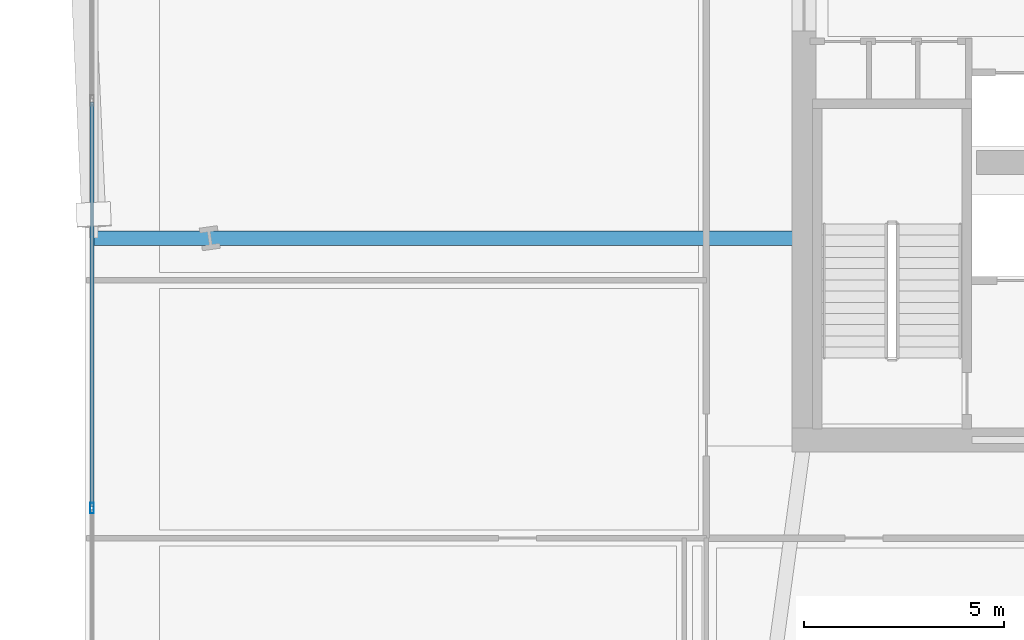
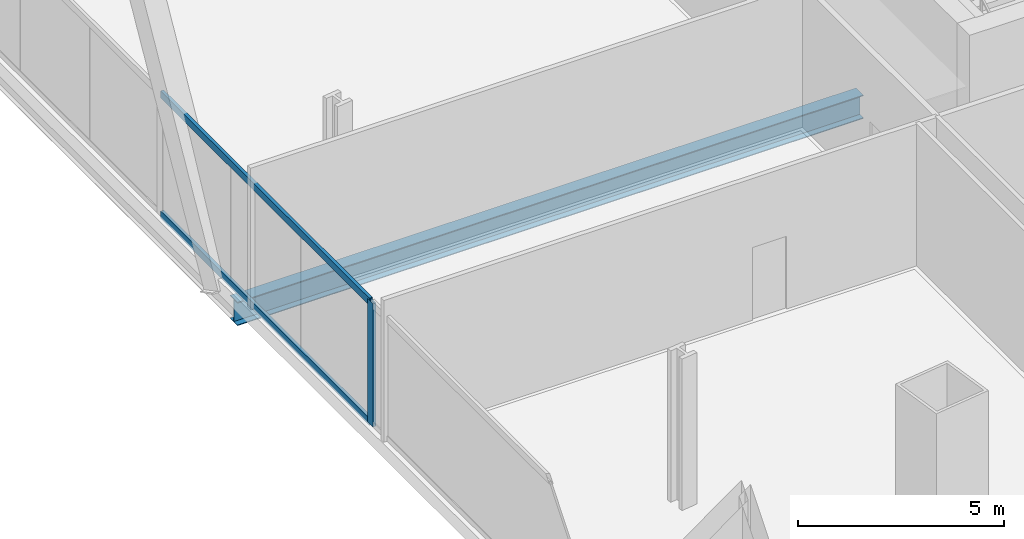
# One storey, part 5 of 29: 3 members, 1 beam, 1 element without a shape of its own.
"""IFC4 building model written with IfcOpenShell, lengths in metres."""

from ifc_helpers import new_model, si_unit, direction, frame, origin, origin_2d, place, context, subcontext, project, spatial, hollow_rectangle, i_section, extrude, material, material_profile, profile_set, type_object, element, aggregate, save


model = new_model("IFC4")

# Units and contexts
model_context = context("Model", 3, precision=1e-05, world=origin(), true_north=direction((0.0, 1.0)))
body_context = subcontext(model_context, "Body", "Model", "MODEL_VIEW")
ifc_project = project(units=[si_unit("LENGTHUNIT", "METRE"), si_unit("AREAUNIT", "SQUARE_METRE"), si_unit("VOLUMEUNIT", "CUBIC_METRE"), si_unit("PLANEANGLEUNIT", "RADIAN"), si_unit("MASSUNIT", "GRAM", prefix="KILO")], contexts=[model_context])

# Site, building, storey
site_placement = place(None, origin())
site = spatial("IfcSite", under=ifc_project, at=site_placement, CompositionType="ELEMENT")
building_placement = place(site_placement, origin())
building = spatial("IfcBuilding", under=site, at=building_placement, Name="Haldenkirk Collegiate Tower", CompositionType="ELEMENT")
storey_placement = place(building_placement, frame((0.0, 0.0, 28.199951171875)))
storey = spatial("IfcBuildingStorey", under=building, at=storey_placement, Name="L05", CompositionType="ELEMENT", Elevation=28.199951171875)

# Beam
ifc_material_1 = material(Name="Steel ASTM A992 Grade 50", Category="steel")
ifc_material_profile_1 = material_profile(ifc_material_1, i_section(OverallWidth=0.35498046875, OverallDepth=0.696044921875, WebThickness=0.015380859375, FlangeThickness=0.02490234375, at=origin_2d()), Name="W27X146")
ifc_profile_set_1 = profile_set([ifc_material_profile_1], Name="Steel ASTM A992 Grade 50")
beam_type = type_object("IfcBeamType", Name="BM-GIRDER-W27X146", PredefinedType="BEAM", material=ifc_profile_set_1)
beam_placement = place(storey_placement, frame((9.219970703125, 23.052978515625, -0.758056640625), z_axis=(1.0, 0.0, 0.0), x_axis=(0.0, 1.0, 0.0)))
element("IfcBeam", 1, at=beam_placement, inside=storey, type_object=beam_type, Name="L05 primary floor girder 15", PredefinedType="BEAM", context=body_context, shape_type="SweptSolid", body=[
    extrude(i_section(OverallWidth=0.35498046875, OverallDepth=0.696044921875, WebThickness=0.015380859375, FlangeThickness=0.02490234375, at=origin_2d()), origin(), (0.0, 0.0, 1.0), 17.5),
])

# Curtain wall, members
ifc_material_2 = material(Name="Anodised architectural bronze aluminium", Category="aluminium")
curtain_wall_type = type_object("IfcCurtainWallType", Name="CW-SYS4-SKYGARDEN", PredefinedType="USERDEFINED", material=ifc_material_2)
curtain_wall_placement = place(storey_placement, origin())
curtain_wall = element("IfcCurtainWall", 2, at=curtain_wall_placement, inside=storey, type_object=curtain_wall_type, Name="L05 Sky-garden tall bronze curtain wall", ObjectType="UNITISED CURTAIN WALL", PredefinedType="USERDEFINED")
ifc_material_profile_2 = material_profile(ifc_material_2, hollow_rectangle(XDim=0.090087890625, YDim=0.260009765625, WallThickness=0.0048828125, at=origin_2d()), Name="CW-MUL-04")
ifc_profile_set_2 = profile_set([ifc_material_profile_2], Name="Anodised architectural bronze aluminium")
member_type_1 = type_object("IfcMemberType", Name="CW-MUL-04", PredefinedType="MULLION", material=ifc_profile_set_2)
member_1_placement = place(storey_placement, frame((9.179931640625, 16.300048828125, 0.0), z_axis=(0.0, 0.0, 1.0), x_axis=(-1.0, 0.0, 0.0)))
member_1 = element("IfcMember", 3, at=member_1_placement, type_object=member_type_1, Name="CW-04 mullion 2", PredefinedType="MULLION", context=body_context, shape_type="SweptSolid", body=[
    extrude(hollow_rectangle(XDim=0.090087890625, YDim=0.260009765625, WallThickness=0.0048828125, at=origin_2d()), origin(), (0.0, 0.0, 1.0), 3.64111328125),
])
ifc_material_profile_3 = material_profile(ifc_material_2, hollow_rectangle(XDim=0.090087890625, YDim=0.2099609375, WallThickness=0.0048828125, at=origin_2d()), Name="CW-TRN-04")
ifc_profile_set_3 = profile_set([ifc_material_profile_3], Name="Anodised architectural bronze aluminium")
member_type_2 = type_object("IfcMemberType", Name="CW-TRN-04", PredefinedType="USERDEFINED", material=ifc_profile_set_3)
member_2_placement = place(storey_placement, frame((9.179931640625, 16.344970703125, 0.045166015625), z_axis=(0.0, 1.0, 0.0), x_axis=(-1.0, 0.0, 0.0)))
member_2 = element("IfcMember", 4, at=member_2_placement, type_object=member_type_2, Name="CW-04 transom 2.1", ObjectType="TRANSOM", PredefinedType="USERDEFINED", context=body_context, shape_type="SweptSolid", body=[
    extrude(hollow_rectangle(XDim=0.090087890625, YDim=0.2099609375, WallThickness=0.0048828125, at=origin_2d()), origin(), (0.0, 0.0, 1.0), 10.110107421875),
])
member_3_placement = place(storey_placement, frame((9.179931640625, 16.344970703125, 3.595947265625), z_axis=(0.0, 1.0, 0.0), x_axis=(-1.0, 0.0, 0.0)))
member_3 = element("IfcMember", 5, at=member_3_placement, type_object=member_type_2, Name="CW-04 transom 2.2", ObjectType="TRANSOM", PredefinedType="USERDEFINED", context=body_context, shape_type="SweptSolid", body=[
    extrude(hollow_rectangle(XDim=0.090087890625, YDim=0.2099609375, WallThickness=0.0048828125, at=origin_2d()), origin(), (0.0, 0.0, 1.0), 10.110107421875),
])
aggregate(curtain_wall, [member_1, member_2, member_3])

save(model, "model.ifc")
